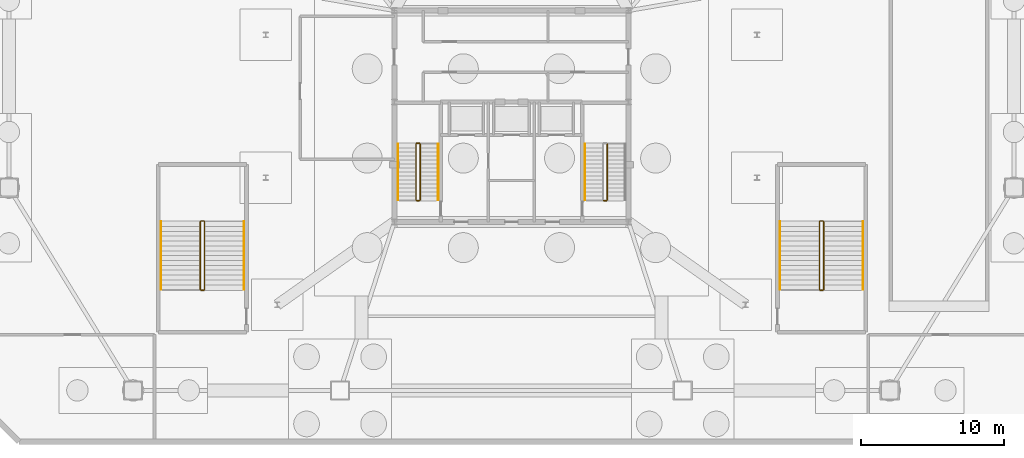
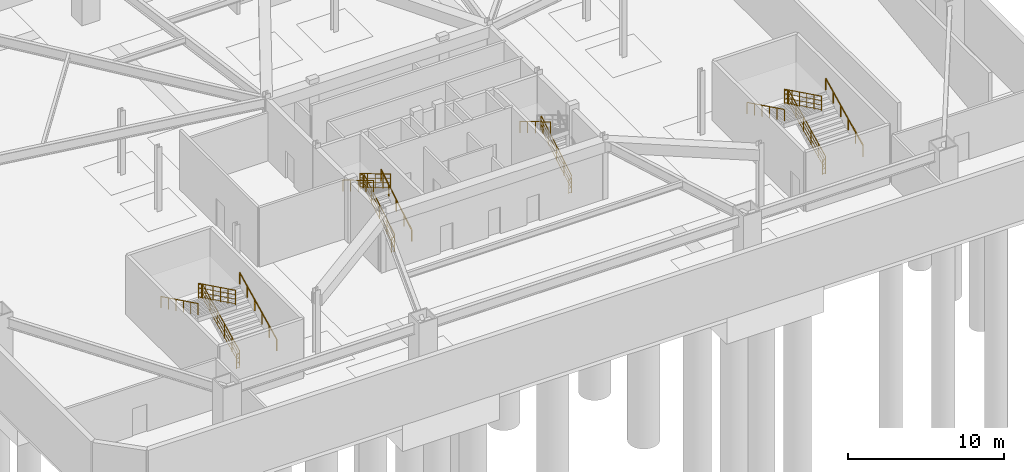
# One storey, part 10 of 12: 21 railings.
"""IFC4 building model written with IfcOpenShell, lengths in metres."""

from ifc_helpers import new_model, si_unit, direction, frame, origin, origin_2d, place, context, subcontext, project, spatial, rectangle, extrude, material, type_object, element, save


model = new_model("IFC4")

# Units and contexts
model_context = context("Model", 3, precision=1e-05, world=origin(), true_north=direction((0.0, 1.0)))
body_context = subcontext(model_context, "Body", "Model", "MODEL_VIEW")
ifc_project = project(units=[si_unit("LENGTHUNIT", "METRE"), si_unit("AREAUNIT", "SQUARE_METRE"), si_unit("VOLUMEUNIT", "CUBIC_METRE"), si_unit("PLANEANGLEUNIT", "RADIAN"), si_unit("MASSUNIT", "GRAM", prefix="KILO")], contexts=[model_context])

# Site, building, storey
site_placement = place(None, origin())
site = spatial("IfcSite", under=ifc_project, at=site_placement, CompositionType="ELEMENT")
building_placement = place(site_placement, origin())
building = spatial("IfcBuilding", under=site, at=building_placement, Name="Varakhsha Concourse Tower", CompositionType="ELEMENT")
storey_placement = place(building_placement, frame((0.0, 0.0, -10.0)))
storey = spatial("IfcBuildingStorey", under=building, at=storey_placement, Name="B02", CompositionType="ELEMENT", Elevation=-10.0)

# Railings
ifc_material = material(Name="Brushed Austenitic Stainless Steel AISI 316", Category="steel")
railing_type_1 = type_object("IfcRailingType", Name="RL-STAIR-GUARD-1100", PredefinedType="GUARDRAIL", material=ifc_material)
railing_1_placement = place(storey_placement, frame((33.610107421875, 17.93994140625, 0.166748046875)))
element("IfcRailing", 1, at=railing_1_placement, inside=storey, type_object=railing_type_1, Name="B02 ST1 stair guard 1", PredefinedType="GUARDRAIL", context=body_context, shape_type="SweptSolid", body=[
    extrude(rectangle(XDim=0.048095703125, YDim=0.048095703125, at=origin_2d()), frame((0.0, 0.0, 1.1259765625), z_axis=(0.0, 0.859310244771, 0.511454693235), x_axis=(-1.0, 0.0, 0.0)), (0.0, 0.0, 1.0), 4.56201171875),
    extrude(rectangle(XDim=0.028076171875, YDim=0.028076171875, at=origin_2d()), frame((0.0, 0.0, 0.080078125), z_axis=(0.0, 0.859310244771, 0.511454693235), x_axis=(-1.0, 0.0, 0.0)), (0.0, 0.0, 1.0), 4.56201171875),
    extrude(rectangle(XDim=0.028076171875, YDim=0.028076171875, at=origin_2d()), frame((0.0, 0.0, 0.43701171875), z_axis=(0.0, 0.859310244771, 0.511454693235), x_axis=(-1.0, 0.0, 0.0)), (0.0, 0.0, 1.0), 4.56201171875),
    extrude(rectangle(XDim=0.028076171875, YDim=0.028076171875, at=origin_2d()), frame((0.0, 0.0, 0.781982421875), z_axis=(0.0, 0.859310244771, 0.511454693235), x_axis=(-1.0, 0.0, 0.0)), (0.0, 0.0, 1.0), 4.56201171875),
    extrude(rectangle(XDim=0.0419921875, YDim=0.0419921875, at=origin_2d()), origin(), (0.0, 0.0, 1.0), 1.101806640625),
    extrude(rectangle(XDim=0.0419921875, YDim=0.0419921875, at=origin_2d()), frame((0.0, 0.97998046875, 0.583251953125)), (0.0, 0.0, 1.0), 1.101806640625),
    extrude(rectangle(XDim=0.0419921875, YDim=0.0419921875, at=origin_2d()), frame((0.0, 1.9599609375, 1.16650390625)), (0.0, 0.0, 1.0), 1.101806640625),
    extrude(rectangle(XDim=0.0419921875, YDim=0.0419921875, at=origin_2d()), frame((0.0, 2.940185546875, 1.75)), (0.0, 0.0, 1.0), 1.101806640625),
    extrude(rectangle(XDim=0.0419921875, YDim=0.0419921875, at=origin_2d()), frame((0.0, 3.920166015625, 2.333251953125)), (0.0, 0.0, 1.0), 1.101806640625),
])
railing_2_placement = place(storey_placement, frame((33.56005859375, 21.909912109375, 2.5)))
element("IfcRailing", 2, at=railing_2_placement, inside=storey, type_object=railing_type_1, Name="B02 ST1 stair guard 2", PredefinedType="GUARDRAIL", context=body_context, shape_type="SweptSolid", body=[
    extrude(rectangle(XDim=0.048095703125, YDim=0.048095703125, at=origin_2d()), frame((0.0, 0.0, 1.1259765625), z_axis=(-1.0, 0.0, 0.0), x_axis=(0.0, -1.0, 0.0)), (0.0, 0.0, 1.0), 0.199951171875),
    extrude(rectangle(XDim=0.028076171875, YDim=0.028076171875, at=origin_2d()), frame((0.0, 0.0, 0.080078125), z_axis=(-1.0, 0.0, 0.0), x_axis=(0.0, -1.0, 0.0)), (0.0, 0.0, 1.0), 0.199951171875),
    extrude(rectangle(XDim=0.028076171875, YDim=0.028076171875, at=origin_2d()), frame((0.0, 0.0, 0.43701171875), z_axis=(-1.0, 0.0, 0.0), x_axis=(0.0, -1.0, 0.0)), (0.0, 0.0, 1.0), 0.199951171875),
    extrude(rectangle(XDim=0.028076171875, YDim=0.028076171875, at=origin_2d()), frame((0.0, 0.0, 0.781982421875), z_axis=(-1.0, 0.0, 0.0), x_axis=(0.0, -1.0, 0.0)), (0.0, 0.0, 1.0), 0.199951171875),
    extrude(rectangle(XDim=0.0419921875, YDim=0.0419921875, at=origin_2d()), origin(), (0.0, 0.0, 1.0), 1.101806640625),
    extrude(rectangle(XDim=0.0419921875, YDim=0.0419921875, at=origin_2d()), frame((-0.199951171875, 0.0, 0.0)), (0.0, 0.0, 1.0), 1.101806640625),
])
railing_3_placement = place(storey_placement, frame((33.31005859375, 21.860107421875, 2.666748046875)))
element("IfcRailing", 3, at=railing_3_placement, inside=storey, type_object=railing_type_1, Name="B02 ST1 stair guard 3", PredefinedType="GUARDRAIL", context=body_context, shape_type="SweptSolid", body=[
    extrude(rectangle(XDim=0.048095703125, YDim=0.048095703125, at=origin_2d()), frame((0.0, 0.0, 1.1259765625), z_axis=(0.0, -0.859310244771, 0.511454693235), x_axis=(1.0, 0.0, 0.0)), (0.0, 0.0, 1.0), 4.56201171875),
    extrude(rectangle(XDim=0.028076171875, YDim=0.028076171875, at=origin_2d()), frame((0.0, 0.0, 0.080078125), z_axis=(0.0, -0.859310244771, 0.511454693235), x_axis=(1.0, 0.0, 0.0)), (0.0, 0.0, 1.0), 4.56201171875),
    extrude(rectangle(XDim=0.028076171875, YDim=0.028076171875, at=origin_2d()), frame((0.0, 0.0, 0.43701171875), z_axis=(0.0, -0.859310244771, 0.511454693235), x_axis=(1.0, 0.0, 0.0)), (0.0, 0.0, 1.0), 4.56201171875),
    extrude(rectangle(XDim=0.028076171875, YDim=0.028076171875, at=origin_2d()), frame((0.0, 0.0, 0.781982421875), z_axis=(0.0, -0.859310244771, 0.511454693235), x_axis=(1.0, 0.0, 0.0)), (0.0, 0.0, 1.0), 4.56201171875),
    extrude(rectangle(XDim=0.0419921875, YDim=0.0419921875, at=origin_2d()), origin(), (0.0, 0.0, 1.0), 1.101806640625),
    extrude(rectangle(XDim=0.0419921875, YDim=0.0419921875, at=origin_2d()), frame((0.0, -0.97998046875, 0.583251953125)), (0.0, 0.0, 1.0), 1.101806640625),
    extrude(rectangle(XDim=0.0419921875, YDim=0.0419921875, at=origin_2d()), frame((0.0, -1.9599609375, 1.16650390625)), (0.0, 0.0, 1.0), 1.101806640625),
    extrude(rectangle(XDim=0.0419921875, YDim=0.0419921875, at=origin_2d()), frame((0.0, -2.940185546875, 1.75)), (0.0, 0.0, 1.0), 1.101806640625),
    extrude(rectangle(XDim=0.0419921875, YDim=0.0419921875, at=origin_2d()), frame((0.0, -3.920166015625, 2.333251953125)), (0.0, 0.0, 1.0), 1.101806640625),
])
railing_4_placement = place(storey_placement, frame((33.56005859375, 17.889892578125, 0.0)))
element("IfcRailing", 4, at=railing_4_placement, inside=storey, type_object=railing_type_1, Name="B02 ST1 stair guard 4", PredefinedType="GUARDRAIL", context=body_context, shape_type="SweptSolid", body=[
    extrude(rectangle(XDim=0.048095703125, YDim=0.048095703125, at=origin_2d()), frame((0.0, 0.0, 1.1259765625), z_axis=(-1.0, 0.0, 0.0), x_axis=(0.0, -1.0, 0.0)), (0.0, 0.0, 1.0), 0.199951171875),
    extrude(rectangle(XDim=0.028076171875, YDim=0.028076171875, at=origin_2d()), frame((0.0, 0.0, 0.080078125), z_axis=(-1.0, 0.0, 0.0), x_axis=(0.0, -1.0, 0.0)), (0.0, 0.0, 1.0), 0.199951171875),
    extrude(rectangle(XDim=0.028076171875, YDim=0.028076171875, at=origin_2d()), frame((0.0, 0.0, 0.43701171875), z_axis=(-1.0, 0.0, 0.0), x_axis=(0.0, -1.0, 0.0)), (0.0, 0.0, 1.0), 0.199951171875),
    extrude(rectangle(XDim=0.028076171875, YDim=0.028076171875, at=origin_2d()), frame((0.0, 0.0, 0.781982421875), z_axis=(-1.0, 0.0, 0.0), x_axis=(0.0, -1.0, 0.0)), (0.0, 0.0, 1.0), 0.199951171875),
    extrude(rectangle(XDim=0.0419921875, YDim=0.0419921875, at=origin_2d()), origin(), (0.0, 0.0, 1.0), 1.101806640625),
    extrude(rectangle(XDim=0.0419921875, YDim=0.0419921875, at=origin_2d()), frame((-0.199951171875, 0.0, 0.0)), (0.0, 0.0, 1.0), 1.101806640625),
])
railing_5_placement = place(storey_placement, frame((46.7099609375, 17.93994140625, 0.166748046875)))
element("IfcRailing", 5, at=railing_5_placement, inside=storey, type_object=railing_type_1, Name="B02 ST2 stair guard 1", PredefinedType="GUARDRAIL", context=body_context, shape_type="SweptSolid", body=[
    extrude(rectangle(XDim=0.048095703125, YDim=0.048095703125, at=origin_2d()), frame((0.0, 0.0, 1.1259765625), z_axis=(0.0, 0.859310244771, 0.511454693235), x_axis=(-1.0, 0.0, 0.0)), (0.0, 0.0, 1.0), 4.56201171875),
    extrude(rectangle(XDim=0.028076171875, YDim=0.028076171875, at=origin_2d()), frame((0.0, 0.0, 0.080078125), z_axis=(0.0, 0.859310244771, 0.511454693235), x_axis=(-1.0, 0.0, 0.0)), (0.0, 0.0, 1.0), 4.56201171875),
    extrude(rectangle(XDim=0.028076171875, YDim=0.028076171875, at=origin_2d()), frame((0.0, 0.0, 0.43701171875), z_axis=(0.0, 0.859310244771, 0.511454693235), x_axis=(-1.0, 0.0, 0.0)), (0.0, 0.0, 1.0), 4.56201171875),
    extrude(rectangle(XDim=0.028076171875, YDim=0.028076171875, at=origin_2d()), frame((0.0, 0.0, 0.781982421875), z_axis=(0.0, 0.859310244771, 0.511454693235), x_axis=(-1.0, 0.0, 0.0)), (0.0, 0.0, 1.0), 4.56201171875),
    extrude(rectangle(XDim=0.0419921875, YDim=0.0419921875, at=origin_2d()), origin(), (0.0, 0.0, 1.0), 1.101806640625),
    extrude(rectangle(XDim=0.0419921875, YDim=0.0419921875, at=origin_2d()), frame((0.0, 0.97998046875, 0.583251953125)), (0.0, 0.0, 1.0), 1.101806640625),
    extrude(rectangle(XDim=0.0419921875, YDim=0.0419921875, at=origin_2d()), frame((0.0, 1.9599609375, 1.16650390625)), (0.0, 0.0, 1.0), 1.101806640625),
    extrude(rectangle(XDim=0.0419921875, YDim=0.0419921875, at=origin_2d()), frame((0.0, 2.940185546875, 1.75)), (0.0, 0.0, 1.0), 1.101806640625),
    extrude(rectangle(XDim=0.0419921875, YDim=0.0419921875, at=origin_2d()), frame((0.0, 3.920166015625, 2.333251953125)), (0.0, 0.0, 1.0), 1.101806640625),
])
railing_6_placement = place(storey_placement, frame((46.659912109375, 17.889892578125, 0.0)))
element("IfcRailing", 6, at=railing_6_placement, inside=storey, type_object=railing_type_1, Name="B02 ST2 stair guard 4", PredefinedType="GUARDRAIL", context=body_context, shape_type="SweptSolid", body=[
    extrude(rectangle(XDim=0.048095703125, YDim=0.048095703125, at=origin_2d()), frame((0.0, 0.0, 1.1259765625), z_axis=(-1.0, 0.0, 0.0), x_axis=(0.0, -1.0, 0.0)), (0.0, 0.0, 1.0), 0.199951171875),
    extrude(rectangle(XDim=0.028076171875, YDim=0.028076171875, at=origin_2d()), frame((0.0, 0.0, 0.080078125), z_axis=(-1.0, 0.0, 0.0), x_axis=(0.0, -1.0, 0.0)), (0.0, 0.0, 1.0), 0.199951171875),
    extrude(rectangle(XDim=0.028076171875, YDim=0.028076171875, at=origin_2d()), frame((0.0, 0.0, 0.43701171875), z_axis=(-1.0, 0.0, 0.0), x_axis=(0.0, -1.0, 0.0)), (0.0, 0.0, 1.0), 0.199951171875),
    extrude(rectangle(XDim=0.028076171875, YDim=0.028076171875, at=origin_2d()), frame((0.0, 0.0, 0.781982421875), z_axis=(-1.0, 0.0, 0.0), x_axis=(0.0, -1.0, 0.0)), (0.0, 0.0, 1.0), 0.199951171875),
    extrude(rectangle(XDim=0.0419921875, YDim=0.0419921875, at=origin_2d()), origin(), (0.0, 0.0, 1.0), 1.101806640625),
    extrude(rectangle(XDim=0.0419921875, YDim=0.0419921875, at=origin_2d()), frame((-0.199951171875, 0.0, 0.0)), (0.0, 0.0, 1.0), 1.101806640625),
])
railing_7_placement = place(storey_placement, frame((18.510009765625, 11.659912109375, 0.166748046875)))
element("IfcRailing", 7, at=railing_7_placement, inside=storey, type_object=railing_type_1, Name="B02 ST3 stair guard 1", PredefinedType="GUARDRAIL", context=body_context, shape_type="SweptSolid", body=[
    extrude(rectangle(XDim=0.048095703125, YDim=0.048095703125, at=origin_2d()), frame((0.0, 0.0, 1.1259765625), z_axis=(0.0, 0.897927146867, 0.440144111535), x_axis=(-1.0, 0.0, 0.0)), (0.0, 0.0, 1.0), 5.301025390625),
    extrude(rectangle(XDim=0.028076171875, YDim=0.028076171875, at=origin_2d()), frame((0.0, 0.0, 0.080078125), z_axis=(0.0, 0.897927146867, 0.440144111535), x_axis=(-1.0, 0.0, 0.0)), (0.0, 0.0, 1.0), 5.301025390625),
    extrude(rectangle(XDim=0.028076171875, YDim=0.028076171875, at=origin_2d()), frame((0.0, 0.0, 0.43701171875), z_axis=(0.0, 0.897927146867, 0.440144111535), x_axis=(-1.0, 0.0, 0.0)), (0.0, 0.0, 1.0), 5.301025390625),
    extrude(rectangle(XDim=0.028076171875, YDim=0.028076171875, at=origin_2d()), frame((0.0, 0.0, 0.781982421875), z_axis=(0.0, 0.897927146867, 0.440144111535), x_axis=(-1.0, 0.0, 0.0)), (0.0, 0.0, 1.0), 5.301025390625),
    extrude(rectangle(XDim=0.0419921875, YDim=0.0419921875, at=origin_2d()), origin(), (0.0, 0.0, 1.0), 1.101806640625),
    extrude(rectangle(XDim=0.0419921875, YDim=0.0419921875, at=origin_2d()), frame((0.0, 0.951904296875, 0.466552734375)), (0.0, 0.0, 1.0), 1.101806640625),
    extrude(rectangle(XDim=0.0419921875, YDim=0.0419921875, at=origin_2d()), frame((0.0, 1.904052734375, 0.933349609375)), (0.0, 0.0, 1.0), 1.101806640625),
    extrude(rectangle(XDim=0.0419921875, YDim=0.0419921875, at=origin_2d()), frame((0.0, 2.85595703125, 1.39990234375)), (0.0, 0.0, 1.0), 1.101806640625),
    extrude(rectangle(XDim=0.0419921875, YDim=0.0419921875, at=origin_2d()), frame((0.0, 3.80810546875, 1.86669921875)), (0.0, 0.0, 1.0), 1.101806640625),
    extrude(rectangle(XDim=0.0419921875, YDim=0.0419921875, at=origin_2d()), frame((0.0, 4.760009765625, 2.333251953125)), (0.0, 0.0, 1.0), 1.101806640625),
])
railing_8_placement = place(storey_placement, frame((18.4599609375, 16.469970703125, 2.5)))
element("IfcRailing", 8, at=railing_8_placement, inside=storey, type_object=railing_type_1, Name="B02 ST3 stair guard 2", PredefinedType="GUARDRAIL", context=body_context, shape_type="SweptSolid", body=[
    extrude(rectangle(XDim=0.048095703125, YDim=0.048095703125, at=origin_2d()), frame((0.0, 0.0, 1.1259765625), z_axis=(-1.0, 0.0, 0.0), x_axis=(0.0, -1.0, 0.0)), (0.0, 0.0, 1.0), 0.199951171875),
    extrude(rectangle(XDim=0.028076171875, YDim=0.028076171875, at=origin_2d()), frame((0.0, 0.0, 0.080078125), z_axis=(-1.0, 0.0, 0.0), x_axis=(0.0, -1.0, 0.0)), (0.0, 0.0, 1.0), 0.199951171875),
    extrude(rectangle(XDim=0.028076171875, YDim=0.028076171875, at=origin_2d()), frame((0.0, 0.0, 0.43701171875), z_axis=(-1.0, 0.0, 0.0), x_axis=(0.0, -1.0, 0.0)), (0.0, 0.0, 1.0), 0.199951171875),
    extrude(rectangle(XDim=0.028076171875, YDim=0.028076171875, at=origin_2d()), frame((0.0, 0.0, 0.781982421875), z_axis=(-1.0, 0.0, 0.0), x_axis=(0.0, -1.0, 0.0)), (0.0, 0.0, 1.0), 0.199951171875),
    extrude(rectangle(XDim=0.0419921875, YDim=0.0419921875, at=origin_2d()), origin(), (0.0, 0.0, 1.0), 1.101806640625),
    extrude(rectangle(XDim=0.0419921875, YDim=0.0419921875, at=origin_2d()), frame((-0.199951171875, 0.0, 0.0)), (0.0, 0.0, 1.0), 1.101806640625),
])
railing_9_placement = place(storey_placement, frame((18.2099609375, 16.419921875, 2.666748046875)))
element("IfcRailing", 9, at=railing_9_placement, inside=storey, type_object=railing_type_1, Name="B02 ST3 stair guard 3", PredefinedType="GUARDRAIL", context=body_context, shape_type="SweptSolid", body=[
    extrude(rectangle(XDim=0.048095703125, YDim=0.048095703125, at=origin_2d()), frame((0.0, 0.0, 1.1259765625), z_axis=(0.0, -0.897927146867, 0.440144111535), x_axis=(1.0, 0.0, 0.0)), (0.0, 0.0, 1.0), 5.301025390625),
    extrude(rectangle(XDim=0.028076171875, YDim=0.028076171875, at=origin_2d()), frame((0.0, 0.0, 0.080078125), z_axis=(0.0, -0.897927146867, 0.440144111535), x_axis=(1.0, 0.0, 0.0)), (0.0, 0.0, 1.0), 5.301025390625),
    extrude(rectangle(XDim=0.028076171875, YDim=0.028076171875, at=origin_2d()), frame((0.0, 0.0, 0.43701171875), z_axis=(0.0, -0.897927146867, 0.440144111535), x_axis=(1.0, 0.0, 0.0)), (0.0, 0.0, 1.0), 5.301025390625),
    extrude(rectangle(XDim=0.028076171875, YDim=0.028076171875, at=origin_2d()), frame((0.0, 0.0, 0.781982421875), z_axis=(0.0, -0.897927146867, 0.440144111535), x_axis=(1.0, 0.0, 0.0)), (0.0, 0.0, 1.0), 5.301025390625),
    extrude(rectangle(XDim=0.0419921875, YDim=0.0419921875, at=origin_2d()), origin(), (0.0, 0.0, 1.0), 1.101806640625),
    extrude(rectangle(XDim=0.0419921875, YDim=0.0419921875, at=origin_2d()), frame((0.0, -0.951904296875, 0.466552734375)), (0.0, 0.0, 1.0), 1.101806640625),
    extrude(rectangle(XDim=0.0419921875, YDim=0.0419921875, at=origin_2d()), frame((0.0, -1.904052734375, 0.933349609375)), (0.0, 0.0, 1.0), 1.101806640625),
    extrude(rectangle(XDim=0.0419921875, YDim=0.0419921875, at=origin_2d()), frame((0.0, -2.85595703125, 1.39990234375)), (0.0, 0.0, 1.0), 1.101806640625),
    extrude(rectangle(XDim=0.0419921875, YDim=0.0419921875, at=origin_2d()), frame((0.0, -3.80810546875, 1.86669921875)), (0.0, 0.0, 1.0), 1.101806640625),
    extrude(rectangle(XDim=0.0419921875, YDim=0.0419921875, at=origin_2d()), frame((0.0, -4.760009765625, 2.333251953125)), (0.0, 0.0, 1.0), 1.101806640625),
])
railing_10_placement = place(storey_placement, frame((18.4599609375, 11.610107421875, 0.0)))
element("IfcRailing", 10, at=railing_10_placement, inside=storey, type_object=railing_type_1, Name="B02 ST3 stair guard 4", PredefinedType="GUARDRAIL", context=body_context, shape_type="SweptSolid", body=[
    extrude(rectangle(XDim=0.048095703125, YDim=0.048095703125, at=origin_2d()), frame((0.0, 0.0, 1.1259765625), z_axis=(-1.0, 0.0, 0.0), x_axis=(0.0, -1.0, 0.0)), (0.0, 0.0, 1.0), 0.199951171875),
    extrude(rectangle(XDim=0.028076171875, YDim=0.028076171875, at=origin_2d()), frame((0.0, 0.0, 0.080078125), z_axis=(-1.0, 0.0, 0.0), x_axis=(0.0, -1.0, 0.0)), (0.0, 0.0, 1.0), 0.199951171875),
    extrude(rectangle(XDim=0.028076171875, YDim=0.028076171875, at=origin_2d()), frame((0.0, 0.0, 0.43701171875), z_axis=(-1.0, 0.0, 0.0), x_axis=(0.0, -1.0, 0.0)), (0.0, 0.0, 1.0), 0.199951171875),
    extrude(rectangle(XDim=0.028076171875, YDim=0.028076171875, at=origin_2d()), frame((0.0, 0.0, 0.781982421875), z_axis=(-1.0, 0.0, 0.0), x_axis=(0.0, -1.0, 0.0)), (0.0, 0.0, 1.0), 0.199951171875),
    extrude(rectangle(XDim=0.0419921875, YDim=0.0419921875, at=origin_2d()), origin(), (0.0, 0.0, 1.0), 1.101806640625),
    extrude(rectangle(XDim=0.0419921875, YDim=0.0419921875, at=origin_2d()), frame((-0.199951171875, 0.0, 0.0)), (0.0, 0.0, 1.0), 1.101806640625),
])
railing_11_placement = place(storey_placement, frame((61.8701171875, 11.659912109375, 0.166748046875)))
element("IfcRailing", 11, at=railing_11_placement, inside=storey, type_object=railing_type_1, Name="B02 ST4 stair guard 1", PredefinedType="GUARDRAIL", context=body_context, shape_type="SweptSolid", body=[
    extrude(rectangle(XDim=0.048095703125, YDim=0.048095703125, at=origin_2d()), frame((0.0, 0.0, 1.1259765625), z_axis=(0.0, 0.897927146867, 0.440144111535), x_axis=(-1.0, 0.0, 0.0)), (0.0, 0.0, 1.0), 5.301025390625),
    extrude(rectangle(XDim=0.028076171875, YDim=0.028076171875, at=origin_2d()), frame((0.0, 0.0, 0.080078125), z_axis=(0.0, 0.897927146867, 0.440144111535), x_axis=(-1.0, 0.0, 0.0)), (0.0, 0.0, 1.0), 5.301025390625),
    extrude(rectangle(XDim=0.028076171875, YDim=0.028076171875, at=origin_2d()), frame((0.0, 0.0, 0.43701171875), z_axis=(0.0, 0.897927146867, 0.440144111535), x_axis=(-1.0, 0.0, 0.0)), (0.0, 0.0, 1.0), 5.301025390625),
    extrude(rectangle(XDim=0.028076171875, YDim=0.028076171875, at=origin_2d()), frame((0.0, 0.0, 0.781982421875), z_axis=(0.0, 0.897927146867, 0.440144111535), x_axis=(-1.0, 0.0, 0.0)), (0.0, 0.0, 1.0), 5.301025390625),
    extrude(rectangle(XDim=0.0419921875, YDim=0.0419921875, at=origin_2d()), origin(), (0.0, 0.0, 1.0), 1.101806640625),
    extrude(rectangle(XDim=0.0419921875, YDim=0.0419921875, at=origin_2d()), frame((0.0, 0.951904296875, 0.466552734375)), (0.0, 0.0, 1.0), 1.101806640625),
    extrude(rectangle(XDim=0.0419921875, YDim=0.0419921875, at=origin_2d()), frame((0.0, 1.904052734375, 0.933349609375)), (0.0, 0.0, 1.0), 1.101806640625),
    extrude(rectangle(XDim=0.0419921875, YDim=0.0419921875, at=origin_2d()), frame((0.0, 2.85595703125, 1.39990234375)), (0.0, 0.0, 1.0), 1.101806640625),
    extrude(rectangle(XDim=0.0419921875, YDim=0.0419921875, at=origin_2d()), frame((0.0, 3.80810546875, 1.86669921875)), (0.0, 0.0, 1.0), 1.101806640625),
    extrude(rectangle(XDim=0.0419921875, YDim=0.0419921875, at=origin_2d()), frame((0.0, 4.760009765625, 2.333251953125)), (0.0, 0.0, 1.0), 1.101806640625),
])
railing_12_placement = place(storey_placement, frame((61.820068359375, 16.469970703125, 2.5)))
element("IfcRailing", 12, at=railing_12_placement, inside=storey, type_object=railing_type_1, Name="B02 ST4 stair guard 2", PredefinedType="GUARDRAIL", context=body_context, shape_type="SweptSolid", body=[
    extrude(rectangle(XDim=0.048095703125, YDim=0.048095703125, at=origin_2d()), frame((0.0, 0.0, 1.1259765625), z_axis=(-1.0, 0.0, 0.0), x_axis=(0.0, -1.0, 0.0)), (0.0, 0.0, 1.0), 0.199951171875),
    extrude(rectangle(XDim=0.028076171875, YDim=0.028076171875, at=origin_2d()), frame((0.0, 0.0, 0.080078125), z_axis=(-1.0, 0.0, 0.0), x_axis=(0.0, -1.0, 0.0)), (0.0, 0.0, 1.0), 0.199951171875),
    extrude(rectangle(XDim=0.028076171875, YDim=0.028076171875, at=origin_2d()), frame((0.0, 0.0, 0.43701171875), z_axis=(-1.0, 0.0, 0.0), x_axis=(0.0, -1.0, 0.0)), (0.0, 0.0, 1.0), 0.199951171875),
    extrude(rectangle(XDim=0.028076171875, YDim=0.028076171875, at=origin_2d()), frame((0.0, 0.0, 0.781982421875), z_axis=(-1.0, 0.0, 0.0), x_axis=(0.0, -1.0, 0.0)), (0.0, 0.0, 1.0), 0.199951171875),
    extrude(rectangle(XDim=0.0419921875, YDim=0.0419921875, at=origin_2d()), origin(), (0.0, 0.0, 1.0), 1.101806640625),
    extrude(rectangle(XDim=0.0419921875, YDim=0.0419921875, at=origin_2d()), frame((-0.199951171875, 0.0, 0.0)), (0.0, 0.0, 1.0), 1.101806640625),
])
railing_13_placement = place(storey_placement, frame((61.570068359375, 16.419921875, 2.666748046875)))
element("IfcRailing", 13, at=railing_13_placement, inside=storey, type_object=railing_type_1, Name="B02 ST4 stair guard 3", PredefinedType="GUARDRAIL", context=body_context, shape_type="SweptSolid", body=[
    extrude(rectangle(XDim=0.048095703125, YDim=0.048095703125, at=origin_2d()), frame((0.0, 0.0, 1.1259765625), z_axis=(0.0, -0.897927146867, 0.440144111535), x_axis=(1.0, 0.0, 0.0)), (0.0, 0.0, 1.0), 5.301025390625),
    extrude(rectangle(XDim=0.028076171875, YDim=0.028076171875, at=origin_2d()), frame((0.0, 0.0, 0.080078125), z_axis=(0.0, -0.897927146867, 0.440144111535), x_axis=(1.0, 0.0, 0.0)), (0.0, 0.0, 1.0), 5.301025390625),
    extrude(rectangle(XDim=0.028076171875, YDim=0.028076171875, at=origin_2d()), frame((0.0, 0.0, 0.43701171875), z_axis=(0.0, -0.897927146867, 0.440144111535), x_axis=(1.0, 0.0, 0.0)), (0.0, 0.0, 1.0), 5.301025390625),
    extrude(rectangle(XDim=0.028076171875, YDim=0.028076171875, at=origin_2d()), frame((0.0, 0.0, 0.781982421875), z_axis=(0.0, -0.897927146867, 0.440144111535), x_axis=(1.0, 0.0, 0.0)), (0.0, 0.0, 1.0), 5.301025390625),
    extrude(rectangle(XDim=0.0419921875, YDim=0.0419921875, at=origin_2d()), origin(), (0.0, 0.0, 1.0), 1.101806640625),
    extrude(rectangle(XDim=0.0419921875, YDim=0.0419921875, at=origin_2d()), frame((0.0, -0.951904296875, 0.466552734375)), (0.0, 0.0, 1.0), 1.101806640625),
    extrude(rectangle(XDim=0.0419921875, YDim=0.0419921875, at=origin_2d()), frame((0.0, -1.904052734375, 0.933349609375)), (0.0, 0.0, 1.0), 1.101806640625),
    extrude(rectangle(XDim=0.0419921875, YDim=0.0419921875, at=origin_2d()), frame((0.0, -2.85595703125, 1.39990234375)), (0.0, 0.0, 1.0), 1.101806640625),
    extrude(rectangle(XDim=0.0419921875, YDim=0.0419921875, at=origin_2d()), frame((0.0, -3.80810546875, 1.86669921875)), (0.0, 0.0, 1.0), 1.101806640625),
    extrude(rectangle(XDim=0.0419921875, YDim=0.0419921875, at=origin_2d()), frame((0.0, -4.760009765625, 2.333251953125)), (0.0, 0.0, 1.0), 1.101806640625),
])
railing_14_placement = place(storey_placement, frame((61.820068359375, 11.610107421875, 0.0)))
element("IfcRailing", 14, at=railing_14_placement, inside=storey, type_object=railing_type_1, Name="B02 ST4 stair guard 4", PredefinedType="GUARDRAIL", context=body_context, shape_type="SweptSolid", body=[
    extrude(rectangle(XDim=0.048095703125, YDim=0.048095703125, at=origin_2d()), frame((0.0, 0.0, 1.1259765625), z_axis=(-1.0, 0.0, 0.0), x_axis=(0.0, -1.0, 0.0)), (0.0, 0.0, 1.0), 0.199951171875),
    extrude(rectangle(XDim=0.028076171875, YDim=0.028076171875, at=origin_2d()), frame((0.0, 0.0, 0.080078125), z_axis=(-1.0, 0.0, 0.0), x_axis=(0.0, -1.0, 0.0)), (0.0, 0.0, 1.0), 0.199951171875),
    extrude(rectangle(XDim=0.028076171875, YDim=0.028076171875, at=origin_2d()), frame((0.0, 0.0, 0.43701171875), z_axis=(-1.0, 0.0, 0.0), x_axis=(0.0, -1.0, 0.0)), (0.0, 0.0, 1.0), 0.199951171875),
    extrude(rectangle(XDim=0.028076171875, YDim=0.028076171875, at=origin_2d()), frame((0.0, 0.0, 0.781982421875), z_axis=(-1.0, 0.0, 0.0), x_axis=(0.0, -1.0, 0.0)), (0.0, 0.0, 1.0), 0.199951171875),
    extrude(rectangle(XDim=0.0419921875, YDim=0.0419921875, at=origin_2d()), origin(), (0.0, 0.0, 1.0), 1.101806640625),
    extrude(rectangle(XDim=0.0419921875, YDim=0.0419921875, at=origin_2d()), frame((-0.199951171875, 0.0, 0.0)), (0.0, 0.0, 1.0), 1.101806640625),
])
railing_type_2 = type_object("IfcRailingType", Name="RL-STAIR-RAIL-915", PredefinedType="HANDRAIL", material=ifc_material)
railing_15_placement = place(storey_placement, frame((34.8701171875, 17.93994140625, 0.333251953125)))
element("IfcRailing", 15, at=railing_15_placement, inside=storey, type_object=railing_type_2, Name="B02 ST1 stair handrail 1", PredefinedType="HANDRAIL", context=body_context, shape_type="SweptSolid", body=[
    extrude(rectangle(XDim=0.048095703125, YDim=0.048095703125, at=origin_2d()), frame((0.0, 0.0, 0.89111328125), z_axis=(0.0, 0.859286724212, 0.511494208758), x_axis=(-1.0, 0.0, 0.0)), (0.0, 0.0, 1.0), 4.56201171875),
    extrude(rectangle(XDim=0.0419921875, YDim=0.0419921875, at=origin_2d()), origin(), (0.0, 0.0, 1.0), 0.866943359375),
    extrude(rectangle(XDim=0.0419921875, YDim=0.0419921875, at=origin_2d()), frame((0.0, 0.97998046875, 0.58349609375)), (0.0, 0.0, 1.0), 0.866943359375),
    extrude(rectangle(XDim=0.0419921875, YDim=0.0419921875, at=origin_2d()), frame((0.0, 1.9599609375, 1.166748046875)), (0.0, 0.0, 1.0), 0.866943359375),
    extrude(rectangle(XDim=0.0419921875, YDim=0.0419921875, at=origin_2d()), frame((0.0, 2.940185546875, 1.75)), (0.0, 0.0, 1.0), 0.866943359375),
    extrude(rectangle(XDim=0.0419921875, YDim=0.0419921875, at=origin_2d()), frame((0.0, 3.920166015625, 2.33349609375)), (0.0, 0.0, 1.0), 0.866943359375),
])
for number, where, name in (
    (16, (32.050048828125, 21.860107421875, 2.833251953125), "B02 ST1 stair handrail 2"),
    (17, (45.14990234375, 21.860107421875, 2.833251953125), "B02 ST2 stair handrail 2"),
):
    element("IfcRailing", number, at=place(storey_placement, frame(where)), inside=storey, type_object=railing_type_2, Name=name, PredefinedType="HANDRAIL", context=body_context, shape_type="SweptSolid", body=[
        extrude(rectangle(XDim=0.048095703125, YDim=0.048095703125, at=origin_2d()), frame((0.0, 0.0, 0.89111328125), z_axis=(0.0, -0.859286724212, 0.511494208758), x_axis=(1.0, 0.0, 0.0)), (0.0, 0.0, 1.0), 4.56201171875),
        extrude(rectangle(XDim=0.0419921875, YDim=0.0419921875, at=origin_2d()), origin(), (0.0, 0.0, 1.0), 0.866943359375),
        extrude(rectangle(XDim=0.0419921875, YDim=0.0419921875, at=origin_2d()), frame((0.0, -0.97998046875, 0.58349609375)), (0.0, 0.0, 1.0), 0.866943359375),
        extrude(rectangle(XDim=0.0419921875, YDim=0.0419921875, at=origin_2d()), frame((0.0, -1.9599609375, 1.166748046875)), (0.0, 0.0, 1.0), 0.866943359375),
        extrude(rectangle(XDim=0.0419921875, YDim=0.0419921875, at=origin_2d()), frame((0.0, -2.940185546875, 1.75)), (0.0, 0.0, 1.0), 0.866943359375),
        extrude(rectangle(XDim=0.0419921875, YDim=0.0419921875, at=origin_2d()), frame((0.0, -3.920166015625, 2.33349609375)), (0.0, 0.0, 1.0), 0.866943359375),
    ])
railing_16_placement = place(storey_placement, frame((21.27001953125, 11.659912109375, 0.333251953125)))
element("IfcRailing", 18, at=railing_16_placement, inside=storey, type_object=railing_type_2, Name="B02 ST3 stair handrail 1", PredefinedType="HANDRAIL", context=body_context, shape_type="SweptSolid", body=[
    extrude(rectangle(XDim=0.048095703125, YDim=0.048095703125, at=origin_2d()), frame((0.0, 0.0, 0.89111328125), z_axis=(0.0, 0.897908944879, 0.44018124302), x_axis=(-1.0, 0.0, 0.0)), (0.0, 0.0, 1.0), 5.30126953125),
    extrude(rectangle(XDim=0.0419921875, YDim=0.0419921875, at=origin_2d()), origin(), (0.0, 0.0, 1.0), 0.866943359375),
    extrude(rectangle(XDim=0.0419921875, YDim=0.0419921875, at=origin_2d()), frame((0.0, 0.951904296875, 0.466796875)), (0.0, 0.0, 1.0), 0.866943359375),
    extrude(rectangle(XDim=0.0419921875, YDim=0.0419921875, at=origin_2d()), frame((0.0, 1.904052734375, 0.933349609375)), (0.0, 0.0, 1.0), 0.866943359375),
    extrude(rectangle(XDim=0.0419921875, YDim=0.0419921875, at=origin_2d()), frame((0.0, 2.85595703125, 1.400146484375)), (0.0, 0.0, 1.0), 0.866943359375),
    extrude(rectangle(XDim=0.0419921875, YDim=0.0419921875, at=origin_2d()), frame((0.0, 3.80810546875, 1.86669921875)), (0.0, 0.0, 1.0), 0.866943359375),
    extrude(rectangle(XDim=0.0419921875, YDim=0.0419921875, at=origin_2d()), frame((0.0, 4.760009765625, 2.33349609375)), (0.0, 0.0, 1.0), 0.866943359375),
])
railing_17_placement = place(storey_placement, frame((15.449951171875, 16.419921875, 2.833251953125)))
element("IfcRailing", 19, at=railing_17_placement, inside=storey, type_object=railing_type_2, Name="B02 ST3 stair handrail 2", PredefinedType="HANDRAIL", context=body_context, shape_type="SweptSolid", body=[
    extrude(rectangle(XDim=0.048095703125, YDim=0.048095703125, at=origin_2d()), frame((0.0, 0.0, 0.89111328125), z_axis=(0.0, -0.897908944879, 0.44018124302), x_axis=(1.0, 0.0, 0.0)), (0.0, 0.0, 1.0), 5.30126953125),
    extrude(rectangle(XDim=0.0419921875, YDim=0.0419921875, at=origin_2d()), origin(), (0.0, 0.0, 1.0), 0.866943359375),
    extrude(rectangle(XDim=0.0419921875, YDim=0.0419921875, at=origin_2d()), frame((0.0, -0.951904296875, 0.466796875)), (0.0, 0.0, 1.0), 0.866943359375),
    extrude(rectangle(XDim=0.0419921875, YDim=0.0419921875, at=origin_2d()), frame((0.0, -1.904052734375, 0.933349609375)), (0.0, 0.0, 1.0), 0.866943359375),
    extrude(rectangle(XDim=0.0419921875, YDim=0.0419921875, at=origin_2d()), frame((0.0, -2.85595703125, 1.400146484375)), (0.0, 0.0, 1.0), 0.866943359375),
    extrude(rectangle(XDim=0.0419921875, YDim=0.0419921875, at=origin_2d()), frame((0.0, -3.80810546875, 1.86669921875)), (0.0, 0.0, 1.0), 0.866943359375),
    extrude(rectangle(XDim=0.0419921875, YDim=0.0419921875, at=origin_2d()), frame((0.0, -4.760009765625, 2.33349609375)), (0.0, 0.0, 1.0), 0.866943359375),
])
railing_18_placement = place(storey_placement, frame((64.6298828125, 11.659912109375, 0.333251953125)))
element("IfcRailing", 20, at=railing_18_placement, inside=storey, type_object=railing_type_2, Name="B02 ST4 stair handrail 1", PredefinedType="HANDRAIL", context=body_context, shape_type="SweptSolid", body=[
    extrude(rectangle(XDim=0.048095703125, YDim=0.048095703125, at=origin_2d()), frame((0.0, 0.0, 0.89111328125), z_axis=(0.0, 0.897908944879, 0.44018124302), x_axis=(-1.0, 0.0, 0.0)), (0.0, 0.0, 1.0), 5.30126953125),
    extrude(rectangle(XDim=0.0419921875, YDim=0.0419921875, at=origin_2d()), origin(), (0.0, 0.0, 1.0), 0.866943359375),
    extrude(rectangle(XDim=0.0419921875, YDim=0.0419921875, at=origin_2d()), frame((0.0, 0.951904296875, 0.466796875)), (0.0, 0.0, 1.0), 0.866943359375),
    extrude(rectangle(XDim=0.0419921875, YDim=0.0419921875, at=origin_2d()), frame((0.0, 1.904052734375, 0.933349609375)), (0.0, 0.0, 1.0), 0.866943359375),
    extrude(rectangle(XDim=0.0419921875, YDim=0.0419921875, at=origin_2d()), frame((0.0, 2.85595703125, 1.400146484375)), (0.0, 0.0, 1.0), 0.866943359375),
    extrude(rectangle(XDim=0.0419921875, YDim=0.0419921875, at=origin_2d()), frame((0.0, 3.80810546875, 1.86669921875)), (0.0, 0.0, 1.0), 0.866943359375),
    extrude(rectangle(XDim=0.0419921875, YDim=0.0419921875, at=origin_2d()), frame((0.0, 4.760009765625, 2.33349609375)), (0.0, 0.0, 1.0), 0.866943359375),
])
railing_19_placement = place(storey_placement, frame((58.81005859375, 16.419921875, 2.833251953125)))
element("IfcRailing", 21, at=railing_19_placement, inside=storey, type_object=railing_type_2, Name="B02 ST4 stair handrail 2", PredefinedType="HANDRAIL", context=body_context, shape_type="SweptSolid", body=[
    extrude(rectangle(XDim=0.048095703125, YDim=0.048095703125, at=origin_2d()), frame((0.0, 0.0, 0.89111328125), z_axis=(0.0, -0.897908944879, 0.44018124302), x_axis=(1.0, 0.0, 0.0)), (0.0, 0.0, 1.0), 5.30126953125),
    extrude(rectangle(XDim=0.0419921875, YDim=0.0419921875, at=origin_2d()), origin(), (0.0, 0.0, 1.0), 0.866943359375),
    extrude(rectangle(XDim=0.0419921875, YDim=0.0419921875, at=origin_2d()), frame((0.0, -0.951904296875, 0.466796875)), (0.0, 0.0, 1.0), 0.866943359375),
    extrude(rectangle(XDim=0.0419921875, YDim=0.0419921875, at=origin_2d()), frame((0.0, -1.904052734375, 0.933349609375)), (0.0, 0.0, 1.0), 0.866943359375),
    extrude(rectangle(XDim=0.0419921875, YDim=0.0419921875, at=origin_2d()), frame((0.0, -2.85595703125, 1.400146484375)), (0.0, 0.0, 1.0), 0.866943359375),
    extrude(rectangle(XDim=0.0419921875, YDim=0.0419921875, at=origin_2d()), frame((0.0, -3.80810546875, 1.86669921875)), (0.0, 0.0, 1.0), 0.866943359375),
    extrude(rectangle(XDim=0.0419921875, YDim=0.0419921875, at=origin_2d()), frame((0.0, -4.760009765625, 2.33349609375)), (0.0, 0.0, 1.0), 0.866943359375),
])

save(model, "model.ifc")
